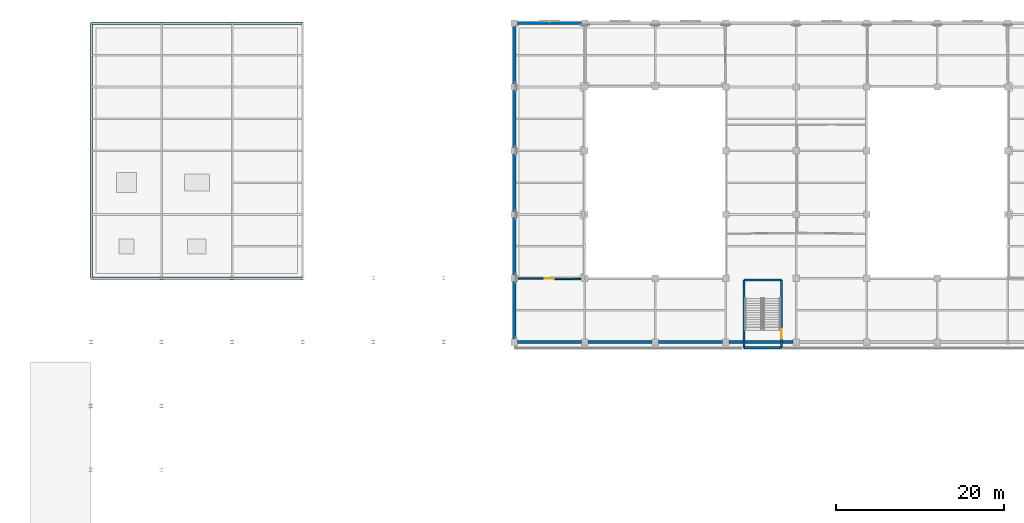
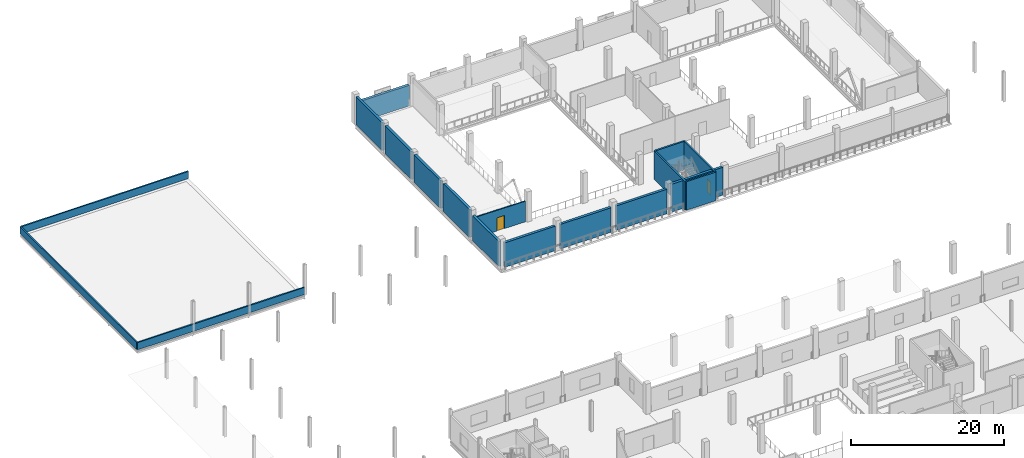
# One storey, part 28 of 51: 18 walls, 2 doors, 2 openings.
"""IFC4 building model written with IfcOpenShell, lengths in metres."""

from ifc_helpers import new_model, si_unit, direction, frame, frame_2d, origin, place, context, subcontext, project, spatial, rectangle, extrude, material, layer, layer_set, type_object, element, fill, save


model = new_model("IFC4")

# Units and contexts
model_context = context("Model", 3, precision=1e-05, world=origin(), true_north=direction((0.0, 1.0)))
body_context = subcontext(model_context, "Body", "Model", "MODEL_VIEW")
ifc_project = project(units=[si_unit("LENGTHUNIT", "METRE"), si_unit("AREAUNIT", "SQUARE_METRE"), si_unit("VOLUMEUNIT", "CUBIC_METRE"), si_unit("PLANEANGLEUNIT", "RADIAN"), si_unit("MASSUNIT", "GRAM", prefix="KILO")], contexts=[model_context])

# Site, building, storey
site_placement = place(None, origin())
site = spatial("IfcSite", under=ifc_project, at=site_placement, CompositionType="ELEMENT")
building_placement = place(site_placement, origin())
building = spatial("IfcBuilding", under=site, at=building_placement, Name="Zuvorla Pavilion Media Centre", CompositionType="ELEMENT")
storey_placement = place(building_placement, frame((0.0, 0.0, 4.800048828125)))
storey = spatial("IfcBuildingStorey", under=building, at=storey_placement, Name="L01", CompositionType="ELEMENT", Elevation=4.800048828125)

# Wall
ifc_material_1 = material(Name="Concrete C40/50", Category="concrete")
ifc_layer_1 = layer(ifc_material_1, 0.25)
ifc_layer_set_1 = layer_set([ifc_layer_1], Name="Concrete C40/50")
wall_type_1 = type_object("IfcWallType", Name="WL-COR-250", PredefinedType="SHEAR", material=ifc_layer_set_1)
wall_1_placement = place(storey_placement, frame((94.175048828125, 81.324951171875, 0.0), z_axis=(0.0, 0.0, 1.0), x_axis=(0.0, 1.0, 0.0)))
element("IfcWall", 1, at=wall_1_placement, inside=storey, type_object=wall_type_1, Name="L01 shear wall CW25 336", PredefinedType="SHEAR", context=body_context, shape_type="SweptSolid", body=[
    extrude(rectangle(XDim=8.10009765625, YDim=0.25, at=frame_2d((4.050048828125, 0.0))), origin(), (0.0, 0.0, 1.0), 4.5400390625),
])

# Wall, opening, door
wall_2_placement = place(storey_placement, frame((98.625, 81.324951171875, 0.0), z_axis=(0.0, 0.0, 1.0), x_axis=(0.0, 1.0, 0.0)))
wall_2 = element("IfcWall", 2, at=wall_2_placement, inside=storey, type_object=wall_type_1, Name="L01 shear wall CW25 337", PredefinedType="SHEAR", context=body_context, shape_type="SweptSolid", body=[
    extrude(rectangle(XDim=8.10009765625, YDim=0.25, at=frame_2d((4.050048828125, 0.0))), origin(), (0.0, 0.0, 1.0), 4.5400390625),
])
opening_1_placement = place(wall_2_placement, frame((1.14990234375, 0.0, 0.0)))
opening_1 = element("IfcOpeningElement", 3, at=opening_1_placement, cuts=wall_2, Name="Opening FD04", PredefinedType="OPENING", context=body_context, shape_type="SweptSolid", body=[
    extrude(rectangle(XDim=1.050048828125, YDim=2.10009765625, at=frame_2d((0.52490234375, 1.050048828125))), frame((0.0, 0.135009765625, 0.0), z_axis=(0.0, -1.0, 0.0), x_axis=(1.0, 0.0, 0.0)), (0.0, 0.0, 1.0), 0.27001953125),
])
ifc_material_2 = material(Name="Acoustic timber fire door leaf in steel frame", Category="steel")
door_type_1 = type_object("IfcDoorType", Name="DR-INT-FD04", OperationType="NOTDEFINED", PredefinedType="DOOR", material=ifc_material_2)
door_1_placement = place(opening_1_placement, frame((1.050048828125, 0.0, 0.0), z_axis=(0.0, 0.0, 1.0), x_axis=(-1.0, 0.0, 0.0)))
door_1 = element("IfcDoor", 4, at=door_1_placement, inside=storey, type_object=door_type_1, Name="Stair ST-05 fire door FD04 114", OperationType="SINGLE_SWING_LEFT", OverallHeight=2.10009765625, OverallWidth=1.050048828125, PredefinedType="DOOR", context=body_context, shape_type="SweptSolid", body=[
    extrude(rectangle(XDim=1.050048828125, YDim=2.10009765625, at=frame_2d((0.52490234375, 1.050048828125))), frame((0.0, 0.02490234375, 0.0), z_axis=(0.0, -1.0, 0.0), x_axis=(1.0, 0.0, 0.0)), (0.0, 0.0, 1.0), 0.050048828125),
])
fill(opening_1, door_1)

# Walls
for number, where, z_axis, x_axis, name in (
    (5, (94.175048828125, 89.425048828125, 0.0), (0.0, 0.0, 1.0), (1.0, 0.0, 0.0), "L01 shear wall CW25 338"),
    (6, (94.175048828125, 81.324951171875, 0.0), (0.0, 0.0, 1.0), (1.0, 0.0, 0.0), "L01 shear wall CW25 339"),
):
    element("IfcWall", number, at=place(storey_placement, frame(where, z_axis=z_axis, x_axis=x_axis)), inside=storey, type_object=wall_type_1, Name=name, PredefinedType="SHEAR", context=body_context, shape_type="SweptSolid", body=[
        extrude(rectangle(XDim=4.449951171875, YDim=0.25, at=frame_2d((2.22509765625, 0.0))), origin(), (0.0, 0.0, 1.0), 4.5400390625),
    ])
ifc_material_3 = material(Name="Dark charcoal terracotta concrete C40/50", Category="masonry")
ifc_layer_2 = layer(ifc_material_3, 0.3798828125)
ifc_layer_set_2 = layer_set([ifc_layer_2], Name="Dark charcoal terracotta concrete C40/50")
wall_type_2 = type_object("IfcWallType", Name="WL-EXT-380", PredefinedType="SOLIDWALL", material=ifc_layer_set_2)
wall_3_placement = place(storey_placement, frame((67.175048828125, 82.0, 0.0), z_axis=(0.0, 0.0, 1.0), x_axis=(1.0, 0.0, 0.0)))
element("IfcWall", 7, at=wall_3_placement, inside=storey, type_object=wall_type_2, Name="L01 exterior solid wall EW01 120", PredefinedType="SOLIDWALL", context=body_context, shape_type="SweptSolid", body=[
    extrude(rectangle(XDim=7.64990234375, YDim=0.3798828125, at=frame_2d((3.824951171875, 0.0))), origin(), (0.0, 0.0, 1.0), 3.894775390625),
])
wall_4_placement = place(storey_placement, frame((75.574951171875, 82.0, 0.0), z_axis=(0.0, 0.0, 1.0), x_axis=(1.0, 0.0, 0.0)))
element("IfcWall", 8, at=wall_4_placement, inside=storey, type_object=wall_type_2, Name="L01 exterior solid wall EW01 121", PredefinedType="SOLIDWALL", context=body_context, shape_type="SweptSolid", body=[
    extrude(rectangle(XDim=7.650146484375, YDim=0.3798828125, at=frame_2d((3.8251953125, 0.0))), origin(), (0.0, 0.0, 1.0), 3.894775390625),
])
wall_5_placement = place(storey_placement, frame((83.97509765625, 82.0, 0.0), z_axis=(0.0, 0.0, 1.0), x_axis=(1.0, 0.0, 0.0)))
element("IfcWall", 9, at=wall_5_placement, inside=storey, type_object=wall_type_2, Name="L01 exterior solid wall EW01 122", PredefinedType="SOLIDWALL", context=body_context, shape_type="SweptSolid", body=[
    extrude(rectangle(XDim=7.64990234375, YDim=0.3798828125, at=frame_2d((3.824951171875, 0.0))), origin(), (0.0, 0.0, 1.0), 3.894775390625),
])
wall_6_placement = place(storey_placement, frame((92.375, 82.0, 0.0), z_axis=(0.0, 0.0, 1.0), x_axis=(1.0, 0.0, 0.0)))
element("IfcWall", 10, at=wall_6_placement, inside=storey, type_object=wall_type_2, Name="L01 exterior solid wall EW01 123", PredefinedType="SOLIDWALL", context=body_context, shape_type="SweptSolid", body=[
    extrude(rectangle(XDim=7.64990234375, YDim=0.3798828125, at=frame_2d((3.824951171875, 0.0))), origin(), (0.0, 0.0, 1.0), 4.429931640625),
])
wall_7_placement = place(storey_placement, frame((74.824951171875, 120.0, 0.0), z_axis=(0.0, 0.0, 1.0), x_axis=(-1.0, 0.0, 0.0)))
element("IfcWall", 11, at=wall_7_placement, inside=storey, type_object=wall_type_2, Name="L01 exterior solid wall EW01 140", PredefinedType="SOLIDWALL", context=body_context, shape_type="SweptSolid", body=[
    extrude(rectangle(XDim=7.64990234375, YDim=0.3798828125, at=frame_2d((3.824951171875, 0.0))), origin(), (0.0, 0.0, 1.0), 3.286865234375),
])
wall_8_placement = place(storey_placement, frame((66.800048828125, 119.625, 0.0), z_axis=(0.0, 0.0, 1.0), x_axis=(0.0, -1.0, 0.0)))
element("IfcWall", 12, at=wall_8_placement, inside=storey, type_object=wall_type_2, Name="L01 exterior solid wall EW01 141", PredefinedType="SOLIDWALL", context=body_context, shape_type="SweptSolid", body=[
    extrude(rectangle(XDim=6.85009765625, YDim=0.3798828125, at=frame_2d((3.425048828125, 0.0))), origin(), (0.0, 0.0, 1.0), 4.429931640625),
])
wall_9_placement = place(storey_placement, frame((66.800048828125, 112.02490234375, 0.0), z_axis=(0.0, 0.0, 1.0), x_axis=(0.0, -1.0, 0.0)))
element("IfcWall", 13, at=wall_9_placement, inside=storey, type_object=wall_type_2, Name="L01 exterior solid wall EW01 142", PredefinedType="SOLIDWALL", context=body_context, shape_type="SweptSolid", body=[
    extrude(rectangle(XDim=6.849853515625, YDim=0.3798828125, at=frame_2d((3.4248046875, 0.0))), origin(), (0.0, 0.0, 1.0), 4.429931640625),
])
wall_10_placement = place(storey_placement, frame((66.800048828125, 104.425048828125, 0.0), z_axis=(0.0, 0.0, 1.0), x_axis=(0.0, -1.0, 0.0)))
element("IfcWall", 14, at=wall_10_placement, inside=storey, type_object=wall_type_2, Name="L01 exterior solid wall EW01 143", PredefinedType="SOLIDWALL", context=body_context, shape_type="SweptSolid", body=[
    extrude(rectangle(XDim=6.85009765625, YDim=0.3798828125, at=frame_2d((3.425048828125, 0.0))), origin(), (0.0, 0.0, 1.0), 4.429931640625),
])
wall_11_placement = place(storey_placement, frame((66.800048828125, 96.824951171875, 0.0), z_axis=(0.0, 0.0, 1.0), x_axis=(0.0, -1.0, 0.0)))
element("IfcWall", 15, at=wall_11_placement, inside=storey, type_object=wall_type_2, Name="L01 exterior solid wall EW01 144", PredefinedType="SOLIDWALL", context=body_context, shape_type="SweptSolid", body=[
    extrude(rectangle(XDim=6.849853515625, YDim=0.3798828125, at=frame_2d((3.4248046875, 0.0))), origin(), (0.0, 0.0, 1.0), 4.429931640625),
])
wall_12_placement = place(storey_placement, frame((66.800048828125, 89.22509765625, 0.0), z_axis=(0.0, 0.0, 1.0), x_axis=(0.0, -1.0, 0.0)))
element("IfcWall", 16, at=wall_12_placement, inside=storey, type_object=wall_type_2, Name="L01 exterior solid wall EW01 145", PredefinedType="SOLIDWALL", context=body_context, shape_type="SweptSolid", body=[
    extrude(rectangle(XDim=6.85009765625, YDim=0.3798828125, at=frame_2d((3.425048828125, 0.0))), origin(), (0.0, 0.0, 1.0), 3.970458984375),
])
ifc_material_4 = material(Name="Precast concrete C40/50", Category="concrete")
ifc_layer_3 = layer(ifc_material_4, 0.2099609375)
ifc_layer_set_3 = layer_set([ifc_layer_3], Name="Precast concrete C40/50")
wall_type_3 = type_object("IfcWallType", Name="WL-PAR-210", PredefinedType="PARAPET", material=ifc_layer_set_3)
wall_13_placement = place(storey_placement, frame((16.39990234375, 120.0, 0.0), z_axis=(0.0, 0.0, 1.0), x_axis=(1.0, 0.0, 0.0)))
element("IfcWall", 17, at=wall_13_placement, inside=storey, type_object=wall_type_3, Name="L01 exterior parapet WP01 335", PredefinedType="PARAPET", context=body_context, shape_type="SweptSolid", body=[
    extrude(rectangle(XDim=25.2001953125, YDim=0.2099609375, at=frame_2d((12.60009765625, 0.0))), origin(), (0.0, 0.0, 1.0), 1.14990234375),
])
wall_14_placement = place(storey_placement, frame((16.39990234375, 89.60009765625, 0.0), z_axis=(0.0, 0.0, 1.0), x_axis=(0.0, 1.0, 0.0)))
element("IfcWall", 18, at=wall_14_placement, inside=storey, type_object=wall_type_3, Name="L01 exterior parapet WP01 336", PredefinedType="PARAPET", context=body_context, shape_type="SweptSolid", body=[
    extrude(rectangle(XDim=30.39990234375, YDim=0.2099609375, at=frame_2d((15.199951171875, 0.0))), origin(), (0.0, 0.0, 1.0), 1.14990234375),
])
wall_15_placement = place(storey_placement, frame((16.39990234375, 89.60009765625, 0.0), z_axis=(0.0, 0.0, 1.0), x_axis=(1.0, 0.0, 0.0)))
element("IfcWall", 19, at=wall_15_placement, inside=storey, type_object=wall_type_3, Name="L01 exterior parapet WP01 337", PredefinedType="PARAPET", context=body_context, shape_type="SweptSolid", body=[
    extrude(rectangle(XDim=25.2001953125, YDim=0.2099609375, at=frame_2d((12.60009765625, 0.0))), origin(), (0.0, 0.0, 1.0), 1.14990234375),
])

# Wall, opening, door
ifc_material_5 = material(Name="Double acoustic gypsum stud partition")
ifc_layer_4 = layer(ifc_material_5, 0.179931640625)
ifc_layer_set_4 = layer_set([ifc_layer_4], Name="Double acoustic gypsum stud partition")
wall_type_4 = type_object("IfcWallType", Name="WL-PRT-180", PredefinedType="PARTITIONING", material=ifc_layer_set_4)
wall_16_placement = place(storey_placement, frame((67.280029296875, 89.59912109375, 0.0), z_axis=(0.0, 0.0, 1.0), x_axis=(0.999930126163, -0.01182128555, 0.0)))
wall_16 = element("IfcWall", 20, at=wall_16_placement, inside=storey, type_object=wall_type_4, Name="L01 partition PT18 472", PredefinedType="PARTITIONING", context=body_context, shape_type="SweptSolid", body=[
    extrude(rectangle(XDim=7.45556640625, YDim=0.179931640625, at=frame_2d((3.727783203125, 0.0))), origin(), (0.0, 0.0, 1.0), 3.286865234375),
])
opening_2_placement = place(wall_16_placement, frame((3.177734375, 0.0, 0.0)))
opening_2 = element("IfcOpeningElement", 21, at=opening_2_placement, cuts=wall_16, Name="Opening FD05", PredefinedType="OPENING", context=body_context, shape_type="SweptSolid", body=[
    extrude(rectangle(XDim=1.10009765625, YDim=2.10009765625, at=frame_2d((0.550048828125, 1.050048828125))), frame((0.0, 0.099853515625, 0.0), z_axis=(0.0, -1.0, 0.0), x_axis=(1.0, 0.0, 0.0)), (0.0, 0.0, 1.0), 0.199951171875),
])
door_type_2 = type_object("IfcDoorType", Name="DR-INT-FD05", OperationType="NOTDEFINED", PredefinedType="DOOR", material=ifc_material_2)
door_2_placement = place(opening_2_placement, origin())
door_2 = element("IfcDoor", 22, at=door_2_placement, inside=storey, type_object=door_type_2, Name="Interior door FD05 189", OperationType="SINGLE_SWING_RIGHT", OverallHeight=2.10009765625, OverallWidth=1.10009765625, PredefinedType="DOOR", context=body_context, shape_type="SweptSolid", body=[
    extrude(rectangle(XDim=1.10009765625, YDim=2.10009765625, at=frame_2d((0.550048828125, 1.050048828125))), frame((0.0, 0.02490234375, 0.0), z_axis=(0.0, -1.0, 0.0), x_axis=(1.0, 0.0, 0.0)), (0.0, 0.0, 1.0), 0.050048828125),
])
fill(opening_2, door_2)

save(model, "model.ifc")
